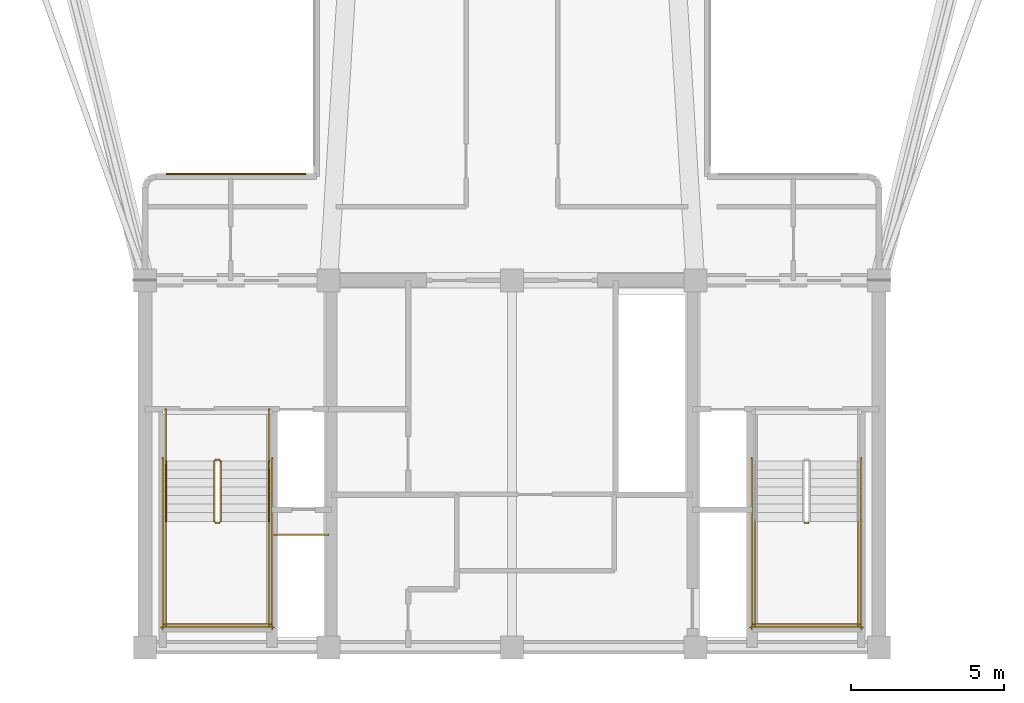
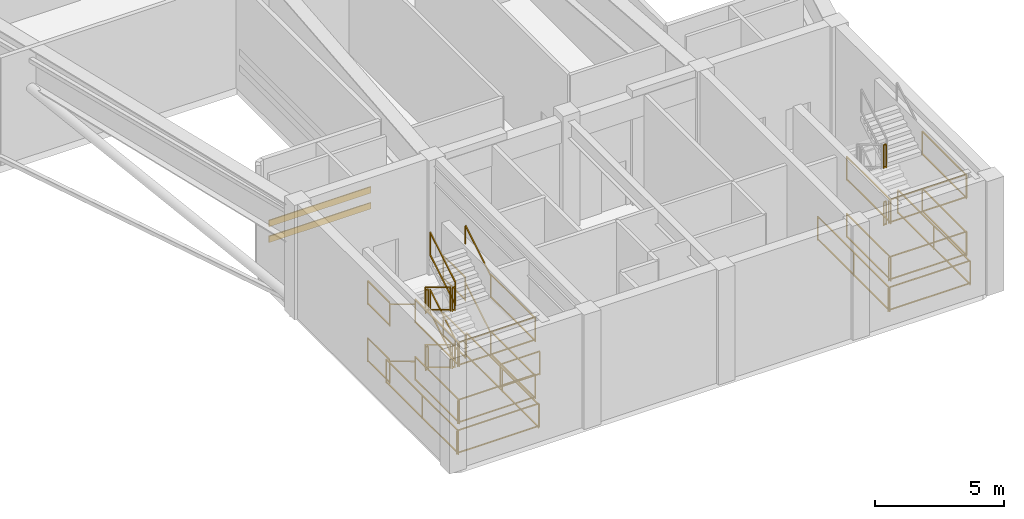
# One storey, part 9 of 11: 37 railings, 2 shading devices.
"""IFC4 building model written with IfcOpenShell, lengths in metres."""

from ifc_helpers import new_model, si_unit, direction, frame, origin, origin_2d, place, context, subcontext, project, spatial, rectangle, extrude, source, transform, mapped, material, layer, layer_set, material_profile, profile_set, type_object, element, save


model = new_model("IFC4")

# Units and contexts
model_context = context("Model", 3, precision=1e-05, world=origin(), true_north=direction((0.0, 1.0)))
body_context = subcontext(model_context, "Body", "Model", "MODEL_VIEW")
ifc_project = project(units=[si_unit("LENGTHUNIT", "METRE"), si_unit("AREAUNIT", "SQUARE_METRE"), si_unit("VOLUMEUNIT", "CUBIC_METRE"), si_unit("PLANEANGLEUNIT", "RADIAN"), si_unit("MASSUNIT", "GRAM", prefix="KILO")], contexts=[model_context])

# Site, building, storey
site_placement = place(None, origin())
site = spatial("IfcSite", under=ifc_project, at=site_placement, CompositionType="ELEMENT")
building_placement = place(site_placement, origin())
building = spatial("IfcBuilding", under=site, at=building_placement, Name="Brelvock Crest Care Tower", CompositionType="ELEMENT")
storey_placement = place(building_placement, frame((0.0, 0.0, 213.1201171875)))
storey = spatial("IfcBuildingStorey", under=building, at=storey_placement, Name="L54", CompositionType="ELEMENT", Elevation=213.1201171875)

# Railings
ifc_material_1 = material(Name="Steel Grade 350", Category="steel")
ifc_layer_1 = layer(ifc_material_1, 0.050048828125, Name="RL-STG1")
ifc_layer_set_1 = layer_set([ifc_layer_1], Name="Steel Grade 350")
railing_type_1 = type_object("IfcRailingType", Name="RL-STG1", PredefinedType="GUARDRAIL", material=ifc_layer_set_1)
railing_1_placement = place(storey_placement, frame((26.260009765625, 12.080078125, 0.168701171875)))
element("IfcRailing", 1, at=railing_1_placement, inside=storey, type_object=railing_type_1, Name="L54 ST-1 stair guard 1", PredefinedType="GUARDRAIL", context=body_context, shape_type="SweptSolid", body=[
    extrude(rectangle(XDim=0.048095703125, YDim=0.048095703125, at=origin_2d()), frame((0.0, -0.001708984375, 1.116943359375), z_axis=(0.0, -0.856493463811, 0.516157869696), x_axis=(1.0, 0.0, 0.0)), (0.0, 0.0, 1.0), 2.284423828125),
    extrude(rectangle(XDim=0.048095703125, YDim=0.048095703125, at=origin_2d()), frame((0.0, -0.001708984375, 0.05615234375), z_axis=(0.0, -0.856493463811, 0.516157869696), x_axis=(1.0, 0.0, 0.0)), (0.0, 0.0, 1.0), 2.284423828125),
    extrude(rectangle(XDim=0.0419921875, YDim=0.0419921875, at=origin_2d()), origin(), (0.0, 0.0, 1.0), 1.08984375),
    extrude(rectangle(XDim=0.0419921875, YDim=0.0419921875, at=origin_2d()), frame((0.0, -1.9599609375, 1.18115234375)), (0.0, 0.0, 1.0), 1.08984375),
])
railing_2_placement = place(storey_placement, frame((26.31005859375, 10.070068359375, 1.349853515625)))
element("IfcRailing", 2, at=railing_2_placement, inside=storey, type_object=railing_type_1, Name="L54 ST-1 stair guard 2", PredefinedType="GUARDRAIL", context=body_context, shape_type="SweptSolid", body=[
    extrude(rectangle(XDim=0.048095703125, YDim=0.048095703125, at=origin_2d()), frame((0.001953125, 0.0, 1.11572265625), z_axis=(1.0, 0.0, 0.0), x_axis=(0.0, 1.0, 0.0)), (0.0, 0.0, 1.0), 0.115966796875),
    extrude(rectangle(XDim=0.048095703125, YDim=0.048095703125, at=origin_2d()), frame((0.001953125, 0.0, 0.054931640625), z_axis=(1.0, 0.0, 0.0), x_axis=(0.0, 1.0, 0.0)), (0.0, 0.0, 1.0), 0.115966796875),
    extrude(rectangle(XDim=0.0419921875, YDim=0.0419921875, at=origin_2d()), origin(), (0.0, 0.0, 1.0), 1.08984375),
    extrude(rectangle(XDim=0.0419921875, YDim=0.0419921875, at=origin_2d()), frame((0.119873046875, 0.0, 0.0)), (0.0, 0.0, 1.0), 1.08984375),
])
for number, where, name in (
    (3, (24.679931640625, 10.1201171875, 1.349853515625), "L54 ST-1 stair guard 3"),
    (4, (28.06005859375, 10.1201171875, 1.349853515625), "L54 ST-1 stair guard 4"),
):
    element("IfcRailing", number, at=place(storey_placement, frame(where)), inside=storey, type_object=railing_type_1, Name=name, PredefinedType="GUARDRAIL", context=body_context, shape_type="SweptSolid", body=[
        extrude(rectangle(XDim=0.048095703125, YDim=0.048095703125, at=origin_2d()), frame((0.0, -0.001953125, 1.11572265625), z_axis=(0.0, -1.0, 0.0), x_axis=(1.0, 0.0, 0.0)), (0.0, 0.0, 1.0), 3.416259765625),
        extrude(rectangle(XDim=0.048095703125, YDim=0.048095703125, at=origin_2d()), frame((0.0, -0.001953125, 0.054931640625), z_axis=(0.0, -1.0, 0.0), x_axis=(1.0, 0.0, 0.0)), (0.0, 0.0, 1.0), 3.416259765625),
        extrude(rectangle(XDim=0.0419921875, YDim=0.0419921875, at=origin_2d()), origin(), (0.0, 0.0, 1.0), 1.08984375),
        extrude(rectangle(XDim=0.0419921875, YDim=0.0419921875, at=origin_2d()), frame((0.0, -3.420166015625, 0.0)), (0.0, 0.0, 1.0), 1.08984375),
    ])
railing_3_placement = place(storey_placement, frame((24.6298828125, 6.75, 1.349853515625)))
element("IfcRailing", 5, at=railing_3_placement, inside=storey, type_object=railing_type_1, Name="L54 ST-1 stair guard 5", PredefinedType="GUARDRAIL", context=body_context, shape_type="SweptSolid", body=[
    extrude(rectangle(XDim=0.048095703125, YDim=0.048095703125, at=origin_2d()), frame((0.001953125, 0.0, 1.11572265625), z_axis=(1.0, 0.0, 0.0), x_axis=(0.0, 1.0, 0.0)), (0.0, 0.0, 1.0), 3.476318359375),
    extrude(rectangle(XDim=0.048095703125, YDim=0.048095703125, at=origin_2d()), frame((0.001953125, 0.0, 0.054931640625), z_axis=(1.0, 0.0, 0.0), x_axis=(0.0, 1.0, 0.0)), (0.0, 0.0, 1.0), 3.476318359375),
    extrude(rectangle(XDim=0.0419921875, YDim=0.0419921875, at=origin_2d()), origin(), (0.0, 0.0, 1.0), 1.08984375),
    extrude(rectangle(XDim=0.0419921875, YDim=0.0419921875, at=origin_2d()), frame((3.480224609375, 0.0, 0.0)), (0.0, 0.0, 1.0), 1.08984375),
])
railing_4_placement = place(storey_placement, frame((26.47998046875, 10.1201171875, 1.5185546875)))
element("IfcRailing", 6, at=railing_4_placement, inside=storey, type_object=railing_type_1, Name="L54 ST-1 stair guard 6", PredefinedType="GUARDRAIL", context=body_context, shape_type="SweptSolid", body=[
    extrude(rectangle(XDim=0.048095703125, YDim=0.048095703125, at=origin_2d()), frame((0.0, 0.001708984375, 1.116943359375), z_axis=(0.0, 0.856446297458, 0.516236127728), x_axis=(-1.0, 0.0, 0.0)), (0.0, 0.0, 1.0), 2.284423828125),
    extrude(rectangle(XDim=0.048095703125, YDim=0.048095703125, at=origin_2d()), frame((0.0, 0.001708984375, 0.05615234375), z_axis=(0.0, 0.856446297458, 0.516236127728), x_axis=(-1.0, 0.0, 0.0)), (0.0, 0.0, 1.0), 2.284423828125),
    extrude(rectangle(XDim=0.0419921875, YDim=0.0419921875, at=origin_2d()), origin(), (0.0, 0.0, 1.0), 1.08984375),
    extrude(rectangle(XDim=0.0419921875, YDim=0.0419921875, at=origin_2d()), frame((0.0, 1.9599609375, 1.181396484375)), (0.0, 0.0, 1.0), 1.08984375),
])
railing_5_placement = place(storey_placement, frame((26.31005859375, 12.1298828125, 2.699951171875)))
element("IfcRailing", 7, at=railing_5_placement, inside=storey, type_object=railing_type_1, Name="L54 ST-1 stair guard 7", PredefinedType="GUARDRAIL", context=body_context, shape_type="SweptSolid", body=[
    extrude(rectangle(XDim=0.048095703125, YDim=0.048095703125, at=origin_2d()), frame((0.001953125, 0.0, 1.11572265625), z_axis=(1.0, 0.0, 0.0), x_axis=(0.0, 1.0, 0.0)), (0.0, 0.0, 1.0), 0.115966796875),
    extrude(rectangle(XDim=0.048095703125, YDim=0.048095703125, at=origin_2d()), frame((0.001953125, 0.0, 0.054931640625), z_axis=(1.0, 0.0, 0.0), x_axis=(0.0, 1.0, 0.0)), (0.0, 0.0, 1.0), 0.115966796875),
    extrude(rectangle(XDim=0.0419921875, YDim=0.0419921875, at=origin_2d()), origin(), (0.0, 0.0, 1.0), 1.08984375),
    extrude(rectangle(XDim=0.0419921875, YDim=0.0419921875, at=origin_2d()), frame((0.119873046875, 0.0, 0.0)), (0.0, 0.0, 1.0), 1.08984375),
])
for number, where, name in (
    (8, (24.679931640625, 13.780029296875, 2.699951171875), "L54 ST-1 stair guard 8"),
    (9, (28.06005859375, 13.780029296875, 2.699951171875), "L54 ST-1 stair guard 9"),
):
    element("IfcRailing", number, at=place(storey_placement, frame(where)), inside=storey, type_object=railing_type_1, Name=name, PredefinedType="GUARDRAIL", context=body_context, shape_type="SweptSolid", body=[
        extrude(rectangle(XDim=0.048095703125, YDim=0.048095703125, at=origin_2d()), frame((0.0, -0.001953125, 1.11572265625), z_axis=(0.0, -1.0, 0.0), x_axis=(1.0, 0.0, 0.0)), (0.0, 0.0, 1.0), 1.696044921875),
        extrude(rectangle(XDim=0.048095703125, YDim=0.048095703125, at=origin_2d()), frame((0.0, -0.001953125, 0.054931640625), z_axis=(0.0, -1.0, 0.0), x_axis=(1.0, 0.0, 0.0)), (0.0, 0.0, 1.0), 1.696044921875),
        extrude(rectangle(XDim=0.0419921875, YDim=0.0419921875, at=origin_2d()), origin(), (0.0, 0.0, 1.0), 1.08984375),
        extrude(rectangle(XDim=0.0419921875, YDim=0.0419921875, at=origin_2d()), frame((0.0, -1.699951171875, 0.0)), (0.0, 0.0, 1.0), 1.08984375),
    ])
railing_6_placement = place(storey_placement, frame((26.260009765625, 12.080078125, 2.86865234375)))
element("IfcRailing", 10, at=railing_6_placement, inside=storey, type_object=railing_type_1, Name="L54 ST-1 stair guard 10", PredefinedType="GUARDRAIL", context=body_context, shape_type="SweptSolid", body=[
    extrude(rectangle(XDim=0.048095703125, YDim=0.048095703125, at=origin_2d()), frame((0.0, -0.001708984375, 1.116943359375), z_axis=(0.0, -0.856493463811, 0.516157869696), x_axis=(1.0, 0.0, 0.0)), (0.0, 0.0, 1.0), 2.284423828125),
    extrude(rectangle(XDim=0.048095703125, YDim=0.048095703125, at=origin_2d()), frame((0.0, -0.001708984375, 0.05615234375), z_axis=(0.0, -0.856493463811, 0.516157869696), x_axis=(1.0, 0.0, 0.0)), (0.0, 0.0, 1.0), 2.284423828125),
    extrude(rectangle(XDim=0.0419921875, YDim=0.0419921875, at=origin_2d()), origin(), (0.0, 0.0, 1.0), 1.08984375),
    extrude(rectangle(XDim=0.0419921875, YDim=0.0419921875, at=origin_2d()), frame((0.0, -1.9599609375, 1.18115234375)), (0.0, 0.0, 1.0), 1.08984375),
])
railing_7_placement = place(storey_placement, frame((26.31005859375, 10.070068359375, 4.0498046875)))
element("IfcRailing", 11, at=railing_7_placement, inside=storey, type_object=railing_type_1, Name="L54 ST-1 stair guard 11", PredefinedType="GUARDRAIL", context=body_context, shape_type="SweptSolid", body=[
    extrude(rectangle(XDim=0.048095703125, YDim=0.048095703125, at=origin_2d()), frame((0.001953125, 0.0, 1.11572265625), z_axis=(1.0, 0.0, 0.0), x_axis=(0.0, 1.0, 0.0)), (0.0, 0.0, 1.0), 0.115966796875),
    extrude(rectangle(XDim=0.048095703125, YDim=0.048095703125, at=origin_2d()), frame((0.001953125, 0.0, 0.054931640625), z_axis=(1.0, 0.0, 0.0), x_axis=(0.0, 1.0, 0.0)), (0.0, 0.0, 1.0), 0.115966796875),
    extrude(rectangle(XDim=0.0419921875, YDim=0.0419921875, at=origin_2d()), origin(), (0.0, 0.0, 1.0), 1.08984375),
    extrude(rectangle(XDim=0.0419921875, YDim=0.0419921875, at=origin_2d()), frame((0.119873046875, 0.0, 0.0)), (0.0, 0.0, 1.0), 1.08984375),
])
for number, where, name in (
    (12, (24.679931640625, 10.1201171875, 4.0498046875), "L54 ST-1 stair guard 12"),
    (13, (28.06005859375, 10.1201171875, 4.0498046875), "L54 ST-1 stair guard 13"),
):
    element("IfcRailing", number, at=place(storey_placement, frame(where)), inside=storey, type_object=railing_type_1, Name=name, PredefinedType="GUARDRAIL", context=body_context, shape_type="SweptSolid", body=[
        extrude(rectangle(XDim=0.048095703125, YDim=0.048095703125, at=origin_2d()), frame((0.0, -0.001953125, 1.11572265625), z_axis=(0.0, -1.0, 0.0), x_axis=(1.0, 0.0, 0.0)), (0.0, 0.0, 1.0), 3.416259765625),
        extrude(rectangle(XDim=0.048095703125, YDim=0.048095703125, at=origin_2d()), frame((0.0, -0.001953125, 0.054931640625), z_axis=(0.0, -1.0, 0.0), x_axis=(1.0, 0.0, 0.0)), (0.0, 0.0, 1.0), 3.416259765625),
        extrude(rectangle(XDim=0.0419921875, YDim=0.0419921875, at=origin_2d()), origin(), (0.0, 0.0, 1.0), 1.08984375),
        extrude(rectangle(XDim=0.0419921875, YDim=0.0419921875, at=origin_2d()), frame((0.0, -3.420166015625, 0.0)), (0.0, 0.0, 1.0), 1.08984375),
    ])
railing_8_placement = place(storey_placement, frame((24.6298828125, 6.75, 4.0498046875)))
element("IfcRailing", 14, at=railing_8_placement, inside=storey, type_object=railing_type_1, Name="L54 ST-1 stair guard 14", PredefinedType="GUARDRAIL", context=body_context, shape_type="SweptSolid", body=[
    extrude(rectangle(XDim=0.048095703125, YDim=0.048095703125, at=origin_2d()), frame((0.001953125, 0.0, 1.11572265625), z_axis=(1.0, 0.0, 0.0), x_axis=(0.0, 1.0, 0.0)), (0.0, 0.0, 1.0), 3.476318359375),
    extrude(rectangle(XDim=0.048095703125, YDim=0.048095703125, at=origin_2d()), frame((0.001953125, 0.0, 0.054931640625), z_axis=(1.0, 0.0, 0.0), x_axis=(0.0, 1.0, 0.0)), (0.0, 0.0, 1.0), 3.476318359375),
    extrude(rectangle(XDim=0.0419921875, YDim=0.0419921875, at=origin_2d()), origin(), (0.0, 0.0, 1.0), 1.08984375),
    extrude(rectangle(XDim=0.0419921875, YDim=0.0419921875, at=origin_2d()), frame((3.480224609375, 0.0, 0.0)), (0.0, 0.0, 1.0), 1.08984375),
])
railing_9_placement = place(storey_placement, frame((26.47998046875, 10.1201171875, 4.21875)))
element("IfcRailing", 15, at=railing_9_placement, inside=storey, type_object=railing_type_1, Name="L54 ST-1 stair guard 15", PredefinedType="GUARDRAIL", context=body_context, shape_type="SweptSolid", body=[
    extrude(rectangle(XDim=0.048095703125, YDim=0.048095703125, at=origin_2d()), frame((0.0, 0.001708984375, 1.116943359375), z_axis=(0.0, 0.856493463811, 0.516157869696), x_axis=(-1.0, 0.0, 0.0)), (0.0, 0.0, 1.0), 2.284423828125),
    extrude(rectangle(XDim=0.048095703125, YDim=0.048095703125, at=origin_2d()), frame((0.0, 0.001708984375, 0.05615234375), z_axis=(0.0, 0.856493463811, 0.516157869696), x_axis=(-1.0, 0.0, 0.0)), (0.0, 0.0, 1.0), 2.284423828125),
    extrude(rectangle(XDim=0.0419921875, YDim=0.0419921875, at=origin_2d()), origin(), (0.0, 0.0, 1.0), 1.08984375),
    extrude(rectangle(XDim=0.0419921875, YDim=0.0419921875, at=origin_2d()), frame((0.0, 1.9599609375, 1.18115234375)), (0.0, 0.0, 1.0), 1.08984375),
])
railing_10_placement = place(storey_placement, frame((26.31005859375, 12.1298828125, 0.0)))
element("IfcRailing", 16, at=railing_10_placement, inside=storey, type_object=railing_type_1, Name="L54 ST-1 stair guard 16", PredefinedType="GUARDRAIL", context=body_context, shape_type="SweptSolid", body=[
    extrude(rectangle(XDim=0.048095703125, YDim=0.048095703125, at=origin_2d()), frame((0.001953125, 0.0, 1.11572265625), z_axis=(1.0, 0.0, 0.0), x_axis=(0.0, 1.0, 0.0)), (0.0, 0.0, 1.0), 0.115966796875),
    extrude(rectangle(XDim=0.048095703125, YDim=0.048095703125, at=origin_2d()), frame((0.001953125, 0.0, 0.054931640625), z_axis=(1.0, 0.0, 0.0), x_axis=(0.0, 1.0, 0.0)), (0.0, 0.0, 1.0), 0.115966796875),
    extrude(rectangle(XDim=0.0419921875, YDim=0.0419921875, at=origin_2d()), origin(), (0.0, 0.0, 1.0), 1.08984375),
    extrude(rectangle(XDim=0.0419921875, YDim=0.0419921875, at=origin_2d()), frame((0.119873046875, 0.0, 0.0)), (0.0, 0.0, 1.0), 1.08984375),
])
for number, where, name in (
    (17, (24.679931640625, 13.780029296875, 0.0), "L54 ST-1 stair guard 17"),
    (18, (28.06005859375, 13.780029296875, 0.0), "L54 ST-1 stair guard 18"),
):
    element("IfcRailing", number, at=place(storey_placement, frame(where)), inside=storey, type_object=railing_type_1, Name=name, PredefinedType="GUARDRAIL", context=body_context, shape_type="SweptSolid", body=[
        extrude(rectangle(XDim=0.048095703125, YDim=0.048095703125, at=origin_2d()), frame((0.0, -0.001953125, 1.11572265625), z_axis=(0.0, -1.0, 0.0), x_axis=(1.0, 0.0, 0.0)), (0.0, 0.0, 1.0), 1.696044921875),
        extrude(rectangle(XDim=0.048095703125, YDim=0.048095703125, at=origin_2d()), frame((0.0, -0.001953125, 0.054931640625), z_axis=(0.0, -1.0, 0.0), x_axis=(1.0, 0.0, 0.0)), (0.0, 0.0, 1.0), 1.696044921875),
        extrude(rectangle(XDim=0.0419921875, YDim=0.0419921875, at=origin_2d()), origin(), (0.0, 0.0, 1.0), 1.08984375),
        extrude(rectangle(XDim=0.0419921875, YDim=0.0419921875, at=origin_2d()), frame((0.0, -1.699951171875, 0.0)), (0.0, 0.0, 1.0), 1.08984375),
    ])
for number, where, name in (
    (19, (24.580078125, 12.179931640625, 0.0), "L54 ST-1 stair guard 19"),
    (20, (28.159912109375, 12.179931640625, 0.0), "L54 ST-1 stair guard 20"),
):
    element("IfcRailing", number, at=place(storey_placement, frame(where)), inside=storey, type_object=railing_type_1, Name=name, PredefinedType="GUARDRAIL", context=body_context, shape_type="SweptSolid", body=[
        extrude(rectangle(XDim=0.048095703125, YDim=0.048095703125, at=origin_2d()), frame((0.0, -0.001953125, 1.11572265625), z_axis=(0.0, -1.0, 0.0), x_axis=(1.0, 0.0, 0.0)), (0.0, 0.0, 1.0), 5.575927734375),
        extrude(rectangle(XDim=0.048095703125, YDim=0.048095703125, at=origin_2d()), frame((0.0, -0.001953125, 0.054931640625), z_axis=(0.0, -1.0, 0.0), x_axis=(1.0, 0.0, 0.0)), (0.0, 0.0, 1.0), 5.575927734375),
        extrude(rectangle(XDim=0.0419921875, YDim=0.0419921875, at=origin_2d()), origin(), (0.0, 0.0, 1.0), 1.08984375),
        extrude(rectangle(XDim=0.0419921875, YDim=0.0419921875, at=origin_2d()), frame((0.0, -2.7900390625, 0.0)), (0.0, 0.0, 1.0), 1.08984375),
        extrude(rectangle(XDim=0.0419921875, YDim=0.0419921875, at=origin_2d()), frame((0.0, -5.579833984375, 0.0)), (0.0, 0.0, 1.0), 1.08984375),
    ])
railing_11_placement = place(storey_placement, frame((24.530029296875, 6.64990234375, 0.0)))
element("IfcRailing", 21, at=railing_11_placement, inside=storey, type_object=railing_type_1, Name="L54 ST-1 stair guard 21", PredefinedType="GUARDRAIL", context=body_context, shape_type="SweptSolid", body=[
    extrude(rectangle(XDim=0.048095703125, YDim=0.048095703125, at=origin_2d()), frame((0.001953125, 0.0, 1.11572265625), z_axis=(1.0, 0.0, 0.0), x_axis=(0.0, 1.0, 0.0)), (0.0, 0.0, 1.0), 3.676025390625),
    extrude(rectangle(XDim=0.048095703125, YDim=0.048095703125, at=origin_2d()), frame((0.001953125, 0.0, 0.054931640625), z_axis=(1.0, 0.0, 0.0), x_axis=(0.0, 1.0, 0.0)), (0.0, 0.0, 1.0), 3.676025390625),
    extrude(rectangle(XDim=0.0419921875, YDim=0.0419921875, at=origin_2d()), origin(), (0.0, 0.0, 1.0), 1.08984375),
    extrude(rectangle(XDim=0.0419921875, YDim=0.0419921875, at=origin_2d()), frame((3.679931640625, 0.0, 0.0)), (0.0, 0.0, 1.0), 1.08984375),
])
railing_12_placement = place(storey_placement, frame((45.570068359375, 10.070068359375, 1.349853515625)))
element("IfcRailing", 22, at=railing_12_placement, inside=storey, type_object=railing_type_1, Name="L54 ST-2 stair guard 2", PredefinedType="GUARDRAIL", context=body_context, shape_type="SweptSolid", body=[
    extrude(rectangle(XDim=0.048095703125, YDim=0.048095703125, at=origin_2d()), frame((0.001953125, 0.0, 1.11572265625), z_axis=(1.0, 0.0, 0.0), x_axis=(0.0, 1.0, 0.0)), (0.0, 0.0, 1.0), 0.115966796875),
    extrude(rectangle(XDim=0.048095703125, YDim=0.048095703125, at=origin_2d()), frame((0.001953125, 0.0, 0.054931640625), z_axis=(1.0, 0.0, 0.0), x_axis=(0.0, 1.0, 0.0)), (0.0, 0.0, 1.0), 0.115966796875),
    extrude(rectangle(XDim=0.0419921875, YDim=0.0419921875, at=origin_2d()), origin(), (0.0, 0.0, 1.0), 1.08984375),
    extrude(rectangle(XDim=0.0419921875, YDim=0.0419921875, at=origin_2d()), frame((0.119873046875, 0.0, 0.0)), (0.0, 0.0, 1.0), 1.08984375),
])
for number, where, name in (
    (23, (43.93994140625, 10.1201171875, 1.349853515625), "L54 ST-2 stair guard 3"),
    (24, (47.320068359375, 10.1201171875, 1.349853515625), "L54 ST-2 stair guard 4"),
):
    element("IfcRailing", number, at=place(storey_placement, frame(where)), inside=storey, type_object=railing_type_1, Name=name, PredefinedType="GUARDRAIL", context=body_context, shape_type="SweptSolid", body=[
        extrude(rectangle(XDim=0.048095703125, YDim=0.048095703125, at=origin_2d()), frame((0.0, -0.001953125, 1.11572265625), z_axis=(0.0, -1.0, 0.0), x_axis=(1.0, 0.0, 0.0)), (0.0, 0.0, 1.0), 3.416259765625),
        extrude(rectangle(XDim=0.048095703125, YDim=0.048095703125, at=origin_2d()), frame((0.0, -0.001953125, 0.054931640625), z_axis=(0.0, -1.0, 0.0), x_axis=(1.0, 0.0, 0.0)), (0.0, 0.0, 1.0), 3.416259765625),
        extrude(rectangle(XDim=0.0419921875, YDim=0.0419921875, at=origin_2d()), origin(), (0.0, 0.0, 1.0), 1.08984375),
        extrude(rectangle(XDim=0.0419921875, YDim=0.0419921875, at=origin_2d()), frame((0.0, -3.420166015625, 0.0)), (0.0, 0.0, 1.0), 1.08984375),
    ])
railing_13_placement = place(storey_placement, frame((43.889892578125, 6.75, 1.349853515625)))
element("IfcRailing", 25, at=railing_13_placement, inside=storey, type_object=railing_type_1, Name="L54 ST-2 stair guard 5", PredefinedType="GUARDRAIL", context=body_context, shape_type="SweptSolid", body=[
    extrude(rectangle(XDim=0.048095703125, YDim=0.048095703125, at=origin_2d()), frame((0.001953125, 0.0, 1.11572265625), z_axis=(1.0, 0.0, 0.0), x_axis=(0.0, 1.0, 0.0)), (0.0, 0.0, 1.0), 3.476318359375),
    extrude(rectangle(XDim=0.048095703125, YDim=0.048095703125, at=origin_2d()), frame((0.001953125, 0.0, 0.054931640625), z_axis=(1.0, 0.0, 0.0), x_axis=(0.0, 1.0, 0.0)), (0.0, 0.0, 1.0), 3.476318359375),
    extrude(rectangle(XDim=0.0419921875, YDim=0.0419921875, at=origin_2d()), origin(), (0.0, 0.0, 1.0), 1.08984375),
    extrude(rectangle(XDim=0.0419921875, YDim=0.0419921875, at=origin_2d()), frame((3.480224609375, 0.0, 0.0)), (0.0, 0.0, 1.0), 1.08984375),
])
railing_14_placement = place(storey_placement, frame((45.570068359375, 10.070068359375, 4.0498046875)))
element("IfcRailing", 26, at=railing_14_placement, inside=storey, type_object=railing_type_1, Name="L54 ST-2 stair guard 11", PredefinedType="GUARDRAIL", context=body_context, shape_type="SweptSolid", body=[
    extrude(rectangle(XDim=0.048095703125, YDim=0.048095703125, at=origin_2d()), frame((0.001953125, 0.0, 1.11572265625), z_axis=(1.0, 0.0, 0.0), x_axis=(0.0, 1.0, 0.0)), (0.0, 0.0, 1.0), 0.115966796875),
    extrude(rectangle(XDim=0.048095703125, YDim=0.048095703125, at=origin_2d()), frame((0.001953125, 0.0, 0.054931640625), z_axis=(1.0, 0.0, 0.0), x_axis=(0.0, 1.0, 0.0)), (0.0, 0.0, 1.0), 0.115966796875),
    extrude(rectangle(XDim=0.0419921875, YDim=0.0419921875, at=origin_2d()), origin(), (0.0, 0.0, 1.0), 1.08984375),
    extrude(rectangle(XDim=0.0419921875, YDim=0.0419921875, at=origin_2d()), frame((0.119873046875, 0.0, 0.0)), (0.0, 0.0, 1.0), 1.08984375),
])
for number, where, name in (
    (27, (43.93994140625, 10.1201171875, 4.0498046875), "L54 ST-2 stair guard 12"),
    (28, (47.320068359375, 10.1201171875, 4.0498046875), "L54 ST-2 stair guard 13"),
):
    element("IfcRailing", number, at=place(storey_placement, frame(where)), inside=storey, type_object=railing_type_1, Name=name, PredefinedType="GUARDRAIL", context=body_context, shape_type="SweptSolid", body=[
        extrude(rectangle(XDim=0.048095703125, YDim=0.048095703125, at=origin_2d()), frame((0.0, -0.001953125, 1.11572265625), z_axis=(0.0, -1.0, 0.0), x_axis=(1.0, 0.0, 0.0)), (0.0, 0.0, 1.0), 3.416259765625),
        extrude(rectangle(XDim=0.048095703125, YDim=0.048095703125, at=origin_2d()), frame((0.0, -0.001953125, 0.054931640625), z_axis=(0.0, -1.0, 0.0), x_axis=(1.0, 0.0, 0.0)), (0.0, 0.0, 1.0), 3.416259765625),
        extrude(rectangle(XDim=0.0419921875, YDim=0.0419921875, at=origin_2d()), origin(), (0.0, 0.0, 1.0), 1.08984375),
        extrude(rectangle(XDim=0.0419921875, YDim=0.0419921875, at=origin_2d()), frame((0.0, -3.420166015625, 0.0)), (0.0, 0.0, 1.0), 1.08984375),
    ])
railing_15_placement = place(storey_placement, frame((43.889892578125, 6.75, 4.0498046875)))
element("IfcRailing", 29, at=railing_15_placement, inside=storey, type_object=railing_type_1, Name="L54 ST-2 stair guard 14", PredefinedType="GUARDRAIL", context=body_context, shape_type="SweptSolid", body=[
    extrude(rectangle(XDim=0.048095703125, YDim=0.048095703125, at=origin_2d()), frame((0.001953125, 0.0, 1.11572265625), z_axis=(1.0, 0.0, 0.0), x_axis=(0.0, 1.0, 0.0)), (0.0, 0.0, 1.0), 3.476318359375),
    extrude(rectangle(XDim=0.048095703125, YDim=0.048095703125, at=origin_2d()), frame((0.001953125, 0.0, 0.054931640625), z_axis=(1.0, 0.0, 0.0), x_axis=(0.0, 1.0, 0.0)), (0.0, 0.0, 1.0), 3.476318359375),
    extrude(rectangle(XDim=0.0419921875, YDim=0.0419921875, at=origin_2d()), origin(), (0.0, 0.0, 1.0), 1.08984375),
    extrude(rectangle(XDim=0.0419921875, YDim=0.0419921875, at=origin_2d()), frame((3.480224609375, 0.0, 0.0)), (0.0, 0.0, 1.0), 1.08984375),
])
for number, where, name in (
    (30, (43.840087890625, 12.179931640625, 0.0), "L54 ST-2 stair guard 19"),
    (31, (47.419921875, 12.179931640625, 0.0), "L54 ST-2 stair guard 20"),
):
    element("IfcRailing", number, at=place(storey_placement, frame(where)), inside=storey, type_object=railing_type_1, Name=name, PredefinedType="GUARDRAIL", context=body_context, shape_type="SweptSolid", body=[
        extrude(rectangle(XDim=0.048095703125, YDim=0.048095703125, at=origin_2d()), frame((0.0, -0.001953125, 1.11572265625), z_axis=(0.0, -1.0, 0.0), x_axis=(1.0, 0.0, 0.0)), (0.0, 0.0, 1.0), 5.575927734375),
        extrude(rectangle(XDim=0.048095703125, YDim=0.048095703125, at=origin_2d()), frame((0.0, -0.001953125, 0.054931640625), z_axis=(0.0, -1.0, 0.0), x_axis=(1.0, 0.0, 0.0)), (0.0, 0.0, 1.0), 5.575927734375),
        extrude(rectangle(XDim=0.0419921875, YDim=0.0419921875, at=origin_2d()), origin(), (0.0, 0.0, 1.0), 1.08984375),
        extrude(rectangle(XDim=0.0419921875, YDim=0.0419921875, at=origin_2d()), frame((0.0, -2.7900390625, 0.0)), (0.0, 0.0, 1.0), 1.08984375),
        extrude(rectangle(XDim=0.0419921875, YDim=0.0419921875, at=origin_2d()), frame((0.0, -5.579833984375, 0.0)), (0.0, 0.0, 1.0), 1.08984375),
    ])
railing_16_placement = place(storey_placement, frame((43.7900390625, 6.64990234375, 0.0)))
element("IfcRailing", 32, at=railing_16_placement, inside=storey, type_object=railing_type_1, Name="L54 ST-2 stair guard 21", PredefinedType="GUARDRAIL", context=body_context, shape_type="SweptSolid", body=[
    extrude(rectangle(XDim=0.048095703125, YDim=0.048095703125, at=origin_2d()), frame((0.001953125, 0.0, 1.11572265625), z_axis=(1.0, 0.0, 0.0), x_axis=(0.0, 1.0, 0.0)), (0.0, 0.0, 1.0), 3.676025390625),
    extrude(rectangle(XDim=0.048095703125, YDim=0.048095703125, at=origin_2d()), frame((0.001953125, 0.0, 0.054931640625), z_axis=(1.0, 0.0, 0.0), x_axis=(0.0, 1.0, 0.0)), (0.0, 0.0, 1.0), 3.676025390625),
    extrude(rectangle(XDim=0.0419921875, YDim=0.0419921875, at=origin_2d()), origin(), (0.0, 0.0, 1.0), 1.08984375),
    extrude(rectangle(XDim=0.0419921875, YDim=0.0419921875, at=origin_2d()), frame((3.679931640625, 0.0, 0.0)), (0.0, 0.0, 1.0), 1.08984375),
])
railing_17_placement = place(storey_placement, frame((28.219970703125, 9.679931640625, 0.0)))
element("IfcRailing", 33, at=railing_17_placement, inside=storey, type_object=railing_type_1, Name="L54 Fire Riser Threshold Guard", PredefinedType="GUARDRAIL", context=body_context, shape_type="SweptSolid", body=[
    extrude(rectangle(XDim=0.048095703125, YDim=0.048095703125, at=origin_2d()), frame((0.001953125, 0.0, 1.11572265625), z_axis=(1.0, 0.0, 0.0), x_axis=(0.0, 1.0, 0.0)), (0.0, 0.0, 1.0), 1.776123046875),
    extrude(rectangle(XDim=0.048095703125, YDim=0.048095703125, at=origin_2d()), frame((0.001953125, 0.0, 0.054931640625), z_axis=(1.0, 0.0, 0.0), x_axis=(0.0, 1.0, 0.0)), (0.0, 0.0, 1.0), 1.776123046875),
    extrude(rectangle(XDim=0.0419921875, YDim=0.0419921875, at=origin_2d()), origin(), (0.0, 0.0, 1.0), 1.08984375),
    extrude(rectangle(XDim=0.0419921875, YDim=0.0419921875, at=origin_2d()), frame((1.780029296875, 0.0, 0.0)), (0.0, 0.0, 1.0), 1.08984375),
])
ifc_layer_2 = layer(ifc_material_1, 0.048095703125, Name="RL-STH1")
ifc_layer_set_2 = layer_set([ifc_layer_2], Name="Steel Grade 350")
railing_type_2 = type_object("IfcRailingType", Name="RL-STH1", PredefinedType="HANDRAIL", material=ifc_layer_set_2)
railing_18_placement = place(storey_placement, frame((24.679931640625, 12.080078125, 0.168701171875)))
element("IfcRailing", 34, at=railing_18_placement, inside=storey, type_object=railing_type_2, Name="L54 ST-1 stair handrail 1", PredefinedType="HANDRAIL", context=body_context, shape_type="SweptSolid", body=[
    extrude(rectangle(XDim=0.048095703125, YDim=0.048095703125, at=origin_2d()), frame((0.0, -0.001708984375, 0.876953125), z_axis=(0.0, -0.856493463811, 0.516157869696), x_axis=(1.0, 0.0, 0.0)), (0.0, 0.0, 1.0), 2.284423828125),
    extrude(rectangle(XDim=0.0419921875, YDim=0.0419921875, at=origin_2d()), origin(), (0.0, 0.0, 1.0), 0.849853515625),
    extrude(rectangle(XDim=0.0419921875, YDim=0.0419921875, at=origin_2d()), frame((0.0, -1.9599609375, 1.18115234375)), (0.0, 0.0, 1.0), 0.849853515625),
])
railing_19_placement = place(storey_placement, frame((28.06005859375, 10.1201171875, 1.5185546875)))
element("IfcRailing", 35, at=railing_19_placement, inside=storey, type_object=railing_type_2, Name="L54 ST-1 stair handrail 2", PredefinedType="HANDRAIL", context=body_context, shape_type="SweptSolid", body=[
    extrude(rectangle(XDim=0.048095703125, YDim=0.048095703125, at=origin_2d()), frame((0.0, 0.001708984375, 0.876953125), z_axis=(0.0, 0.856446297458, 0.516236127728), x_axis=(-1.0, 0.0, 0.0)), (0.0, 0.0, 1.0), 2.284423828125),
    extrude(rectangle(XDim=0.0419921875, YDim=0.0419921875, at=origin_2d()), origin(), (0.0, 0.0, 1.0), 0.849853515625),
    extrude(rectangle(XDim=0.0419921875, YDim=0.0419921875, at=origin_2d()), frame((0.0, 1.9599609375, 1.181396484375)), (0.0, 0.0, 1.0), 0.849853515625),
])
railing_20_placement = place(storey_placement, frame((24.679931640625, 12.080078125, 2.86865234375)))
element("IfcRailing", 36, at=railing_20_placement, inside=storey, type_object=railing_type_2, Name="L54 ST-1 stair handrail 3", PredefinedType="HANDRAIL", context=body_context, shape_type="SweptSolid", body=[
    extrude(rectangle(XDim=0.048095703125, YDim=0.048095703125, at=origin_2d()), frame((0.0, -0.001708984375, 0.876953125), z_axis=(0.0, -0.856493463811, 0.516157869696), x_axis=(1.0, 0.0, 0.0)), (0.0, 0.0, 1.0), 2.284423828125),
    extrude(rectangle(XDim=0.0419921875, YDim=0.0419921875, at=origin_2d()), origin(), (0.0, 0.0, 1.0), 0.849853515625),
    extrude(rectangle(XDim=0.0419921875, YDim=0.0419921875, at=origin_2d()), frame((0.0, -1.9599609375, 1.18115234375)), (0.0, 0.0, 1.0), 0.849853515625),
])
railing_21_placement = place(storey_placement, frame((28.06005859375, 10.1201171875, 4.21875)))
element("IfcRailing", 37, at=railing_21_placement, inside=storey, type_object=railing_type_2, Name="L54 ST-1 stair handrail 4", PredefinedType="HANDRAIL", context=body_context, shape_type="SweptSolid", body=[
    extrude(rectangle(XDim=0.048095703125, YDim=0.048095703125, at=origin_2d()), frame((0.0, 0.001708984375, 0.876953125), z_axis=(0.0, 0.856493463811, 0.516157869696), x_axis=(-1.0, 0.0, 0.0)), (0.0, 0.0, 1.0), 2.284423828125),
    extrude(rectangle(XDim=0.0419921875, YDim=0.0419921875, at=origin_2d()), origin(), (0.0, 0.0, 1.0), 0.849853515625),
    extrude(rectangle(XDim=0.0419921875, YDim=0.0419921875, at=origin_2d()), frame((0.0, 1.9599609375, 1.18115234375)), (0.0, 0.0, 1.0), 0.849853515625),
])

# Shading devices
ifc_material_2 = material(Name="Aluminium 6063-T6", Category="aluminium")
ifc_material_profile = material_profile(ifc_material_2, rectangle(XDim=0.044921875, YDim=0.300048828125, at=origin_2d()), Name="LOUVRE45x300")
ifc_profile_set = profile_set([ifc_material_profile], Name="Aluminium 6063-T6")
shading_device_type = type_object("IfcShadingDeviceType", Name="SHD-LV1", PredefinedType="JALOUSIE", material=ifc_profile_set)
shared_shape = source(origin(), body_context, "Body", "SweptSolid", [
    extrude(rectangle(XDim=0.044921875, YDim=0.300048828125, at=origin_2d()), origin(), (0.0, 0.0, 1.0), 4.550048828125),
])
for number, where, z_axis, x_axis, name in (
    (38, (24.699951171875, 21.47509765625, 1.099853515625), (1.0, 0.0, 0.0), (0.0, 1.0, 0.0), "L54 Crown Acoustic Louvre 10-1"),
    (39, (24.699951171875, 21.47509765625, 1.849853515625), (1.0, 0.0, 0.0), (0.0, 1.0, 0.0), "L54 Crown Acoustic Louvre 10-2"),
):
    element("IfcShadingDevice", number, at=place(storey_placement, frame(where, z_axis=z_axis, x_axis=x_axis)), inside=storey, type_object=shading_device_type, Name=name, PredefinedType="JALOUSIE", context=body_context, shape_type="MappedRepresentation", body=[
        mapped(shared_shape, transform((0.0, 0.0, 0.0), x_axis=(1.0, 0.0, 0.0), y_axis=(0.0, 1.0, 0.0), z_axis=(0.0, 0.0, 1.0), scale=1.0)),
    ])

save(model, "model.ifc")
